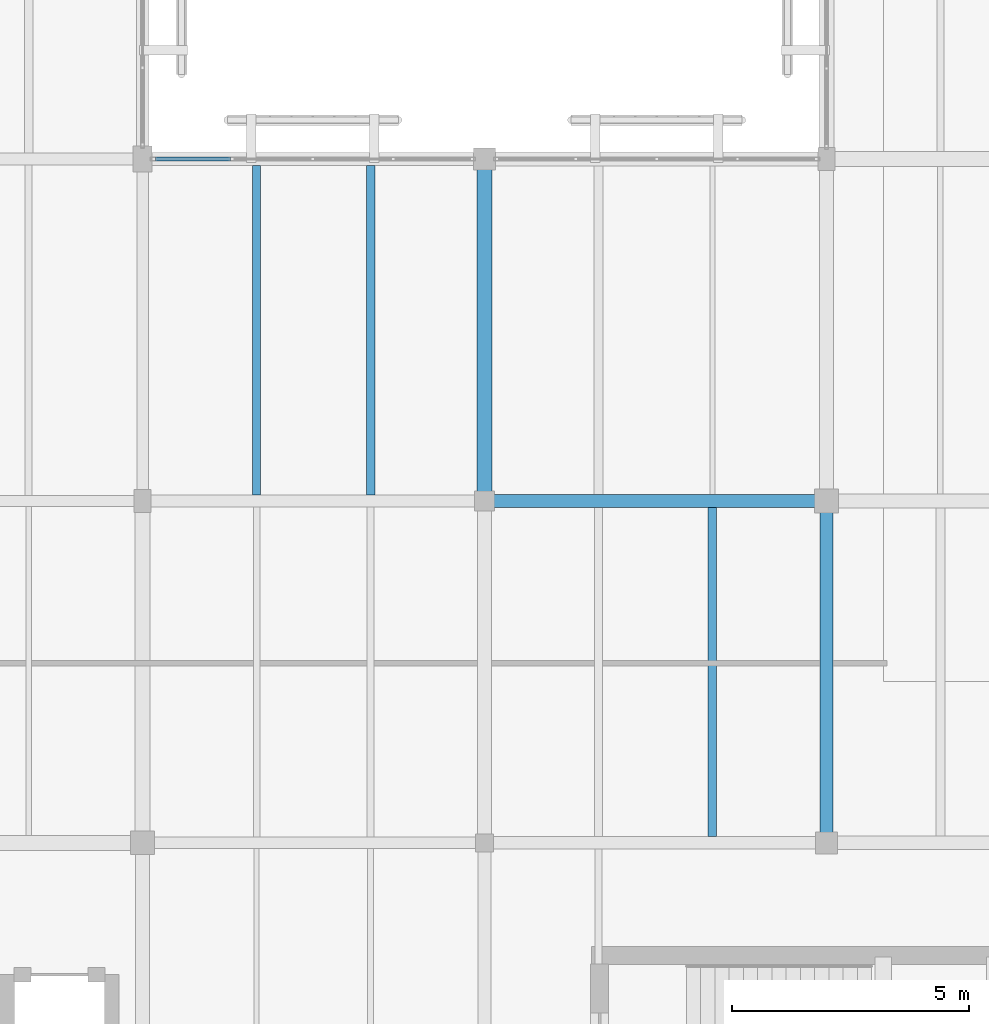
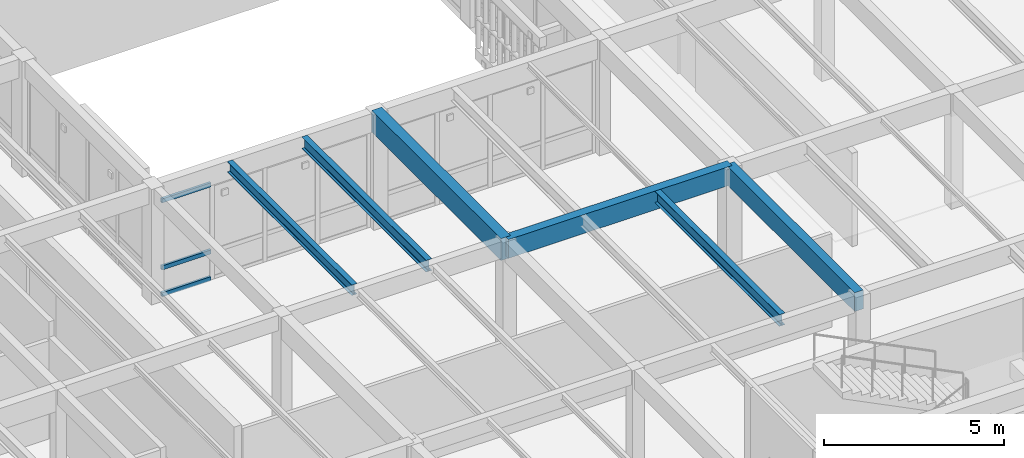
# One storey, part 14 of 112: 6 beams, 3 members, 1 element without a shape of its own.
"""IFC4 building model written with IfcOpenShell, lengths in metres."""

from ifc_helpers import new_model, si_unit, direction, frame, origin, origin_2d, place, context, subcontext, project, spatial, rectangle, hollow_rectangle, i_section, extrude, material, layer, layer_set, material_profile, profile_set, type_object, element, aggregate, save


model = new_model("IFC4")

# Units and contexts
model_context = context("Model", 3, precision=1e-05, world=origin(), true_north=direction((0.0, 1.0)))
body_context = subcontext(model_context, "Body", "Model", "MODEL_VIEW")
ifc_project = project(units=[si_unit("LENGTHUNIT", "METRE"), si_unit("AREAUNIT", "SQUARE_METRE"), si_unit("VOLUMEUNIT", "CUBIC_METRE"), si_unit("PLANEANGLEUNIT", "RADIAN"), si_unit("MASSUNIT", "GRAM", prefix="KILO")], contexts=[model_context])

# Site, building, storey
site_placement = place(None, origin())
site = spatial("IfcSite", under=ifc_project, at=site_placement, CompositionType="ELEMENT")
building_placement = place(site_placement, origin())
building = spatial("IfcBuilding", under=site, at=building_placement, Name="Mazaris Harbour Polytechnic", CompositionType="ELEMENT")
storey_placement = place(building_placement, frame((0.0, 0.0, 13.800048828125)))
storey = spatial("IfcBuildingStorey", under=building, at=storey_placement, Name="L03", CompositionType="ELEMENT", Elevation=13.800048828125)

# Curtain wall, members
ifc_material_1 = material(Name="Anodised Bronze Aluminium and Low-E Glass", Category="aluminium")
ifc_layer = layer(ifc_material_1, 0.159912109375, Name="Anodised Bronze Aluminium and Low-E Glass")
ifc_layer_set = layer_set([ifc_layer], Name="Anodised Bronze Aluminium and Low-E Glass")
curtain_wall_type = type_object("IfcCurtainWallType", Name="Cloister Court Curtain Wall", PredefinedType="NOTDEFINED", material=ifc_layer_set)
curtain_wall_placement = place(storey_placement, origin())
curtain_wall = element("IfcCurtainWall", 1, at=curtain_wall_placement, inside=storey, type_object=curtain_wall_type, Name="V4 L03 Curtain Wall 150", PredefinedType="NOTDEFINED")
ifc_material_2 = material(Name="Anodised Bronze Steel S355", Category="steel")
ifc_material_profile_1 = material_profile(ifc_material_2, hollow_rectangle(XDim=0.080078125, YDim=0.139892578125, WallThickness=0.00634765625, at=origin_2d()), Name="RHS 80x140x6.3")
ifc_profile_set_1 = profile_set([ifc_material_profile_1], Name="Anodised Bronze Steel S355")
member_type = type_object("IfcMemberType", Name="Curtain Transom RHS80x140", PredefinedType="USERDEFINED", material=ifc_profile_set_1)
member_1_placement = place(storey_placement, frame((14.672119140625, 36.0, 0.0400390625), z_axis=(1.0, 0.0, 0.0), x_axis=(0.0, 1.0, 0.0)))
member_1 = element("IfcMember", 2, at=member_1_placement, type_object=member_type, Name="CW-02 transom 1.1", ObjectType="TRANSOM", PredefinedType="USERDEFINED", context=body_context, shape_type="SweptSolid", body=[
    extrude(hollow_rectangle(XDim=0.080078125, YDim=0.139892578125, WallThickness=0.00634765625, at=origin_2d()), origin(), (0.0, 0.0, 1.0), 1.576416015625),
])
member_2_placement = place(storey_placement, frame((14.672119140625, 36.0, 0.949951171875), z_axis=(1.0, 0.0, 0.0), x_axis=(0.0, 1.0, 0.0)))
member_2 = element("IfcMember", 3, at=member_2_placement, type_object=member_type, Name="CW-02 transom 1.2", ObjectType="TRANSOM", PredefinedType="USERDEFINED", context=body_context, shape_type="SweptSolid", body=[
    extrude(hollow_rectangle(XDim=0.080078125, YDim=0.139892578125, WallThickness=0.00634765625, at=origin_2d()), origin(), (0.0, 0.0, 1.0), 1.576416015625),
])
member_3_placement = place(storey_placement, frame((14.672119140625, 36.0, 3.22998046875), z_axis=(1.0, 0.0, 0.0), x_axis=(0.0, 1.0, 0.0)))
member_3 = element("IfcMember", 4, at=member_3_placement, type_object=member_type, Name="CW-02 transom 1.3", ObjectType="TRANSOM", PredefinedType="USERDEFINED", context=body_context, shape_type="SweptSolid", body=[
    extrude(hollow_rectangle(XDim=0.080078125, YDim=0.139892578125, WallThickness=0.00634765625, at=origin_2d()), origin(), (0.0, 0.0, 1.0), 1.576416015625),
])
aggregate(curtain_wall, [member_1, member_2, member_3])

# Beams
ifc_material_3 = material(Name="Glulam GL32h", Category="wood")
ifc_material_profile_2 = material_profile(ifc_material_3, rectangle(XDim=0.280029296875, YDim=0.639892578125, at=origin_2d()), Name="RECT280x640")
ifc_profile_set_2 = profile_set([ifc_material_profile_2], Name="Glulam GL32h")
beam_type_1 = type_object("IfcBeamType", Name="Glulam Girder 280x640", PredefinedType="BEAM", material=ifc_profile_set_2)
for number, where, z_axis, x_axis, name in (
    (5, (21.60009765625, 28.800048828125, 3.599853515625), (1.0, 0.0, 0.0), (0.0, 1.0, 0.0), "V4 L03 Girder 2187"),
    (6, (28.800048828125, 21.60009765625, 3.599853515625), (0.0, 1.0, 0.0), (-1.0, 0.0, 0.0), "V4 L03 Tie Girder 2252"),
):
    element("IfcBeam", number, at=place(storey_placement, frame(where, z_axis=z_axis, x_axis=x_axis)), inside=storey, type_object=beam_type_1, Name=name, PredefinedType="BEAM", context=body_context, shape_type="SweptSolid", body=[
        extrude(rectangle(XDim=0.280029296875, YDim=0.639892578125, at=origin_2d()), origin(), (0.0, 0.0, 1.0), 7.199951171875),
    ])
ifc_material_4 = material(Name="Glulam GL32h", Category="wood")
ifc_material_profile_3 = material_profile(ifc_material_4, rectangle(XDim=0.320068359375, YDim=0.739990234375, at=origin_2d()), Name="RECT320x740")
ifc_profile_set_3 = profile_set([ifc_material_profile_3], Name="Glulam GL32h")
beam_type_2 = type_object("IfcBeamType", Name="Glulam Girder 320x740", PredefinedType="BEAM", material=ifc_profile_set_3)
beam_1_placement = place(storey_placement, frame((21.60009765625, 28.800048828125, 3.550048828125), z_axis=(0.0, 1.0, 0.0), x_axis=(-1.0, 0.0, 0.0)))
element("IfcBeam", 7, at=beam_1_placement, inside=storey, type_object=beam_type_2, Name="V4 L03 Tie Girder 2249", PredefinedType="BEAM", context=body_context, shape_type="SweptSolid", body=[
    extrude(rectangle(XDim=0.320068359375, YDim=0.739990234375, at=origin_2d()), origin(), (0.0, 0.0, 1.0), 7.199951171875),
])
ifc_material_5 = material(Name="Steel S355", Category="steel")
ifc_material_profile_4 = material_profile(ifc_material_5, i_section(OverallWidth=0.169921875, OverallDepth=0.360107421875, WebThickness=0.008056640625, FlangeThickness=0.0126953125, FilletRadius=0.01806640625, at=origin_2d()), Name="IPE 360")
ifc_profile_set_4 = profile_set([ifc_material_profile_4], Name="Steel S355")
beam_type_3 = type_object("IfcBeamType", Name="Steel Joist IPE360", PredefinedType="JOIST", material=ifc_profile_set_4)
beam_2_placement = place(storey_placement, frame((16.800048828125, 28.929931640625, 3.739990234375), z_axis=(0.0, 1.0, 0.0), x_axis=(-1.0, 0.0, 0.0)))
element("IfcBeam", 8, at=beam_2_placement, inside=storey, type_object=beam_type_3, Name="V4 L03 Floor Joist 2314", PredefinedType="JOIST", context=body_context, shape_type="SweptSolid", body=[
    extrude(i_section(OverallWidth=0.169921875, OverallDepth=0.360107421875, WebThickness=0.008056640625, FlangeThickness=0.0126953125, FilletRadius=0.01806640625, at=origin_2d()), origin(), (0.0, 0.0, 1.0), 6.93017578125),
])
ifc_material_6 = material(Name="Steel S355", Category="steel")
ifc_material_profile_5 = material_profile(ifc_material_6, i_section(OverallWidth=0.179931640625, OverallDepth=0.39990234375, WebThickness=0.008544921875, FlangeThickness=0.013427734375, FilletRadius=0.02099609375, at=origin_2d()), Name="IPE 400")
ifc_profile_set_5 = profile_set([ifc_material_profile_5], Name="Steel S355")
beam_type_4 = type_object("IfcBeamType", Name="Steel Joist IPE400", PredefinedType="JOIST", material=ifc_profile_set_5)
beam_3_placement = place(storey_placement, frame((19.199951171875, 28.929931640625, 3.719970703125), z_axis=(0.0, 1.0, 0.0), x_axis=(-1.0, 0.0, 0.0)))
element("IfcBeam", 9, at=beam_3_placement, inside=storey, type_object=beam_type_4, Name="V4 L03 Floor Joist 2315", PredefinedType="JOIST", context=body_context, shape_type="SweptSolid", body=[
    extrude(i_section(OverallWidth=0.179931640625, OverallDepth=0.39990234375, WebThickness=0.008544921875, FlangeThickness=0.013427734375, FilletRadius=0.02099609375, at=origin_2d()), origin(), (0.0, 0.0, 1.0), 6.93017578125),
])
beam_4_placement = place(storey_placement, frame((26.39990234375, 21.72998046875, 3.719970703125), z_axis=(0.0, 1.0, 0.0), x_axis=(-1.0, 0.0, 0.0)))
element("IfcBeam", 10, at=beam_4_placement, inside=storey, type_object=beam_type_4, Name="V4 L03 Floor Joist 2322", PredefinedType="JOIST", context=body_context, shape_type="SweptSolid", body=[
    extrude(i_section(OverallWidth=0.179931640625, OverallDepth=0.39990234375, WebThickness=0.008544921875, FlangeThickness=0.013427734375, FilletRadius=0.02099609375, at=origin_2d()), origin(), (0.0, 0.0, 1.0), 6.929931640625),
])

save(model, "model.ifc")
